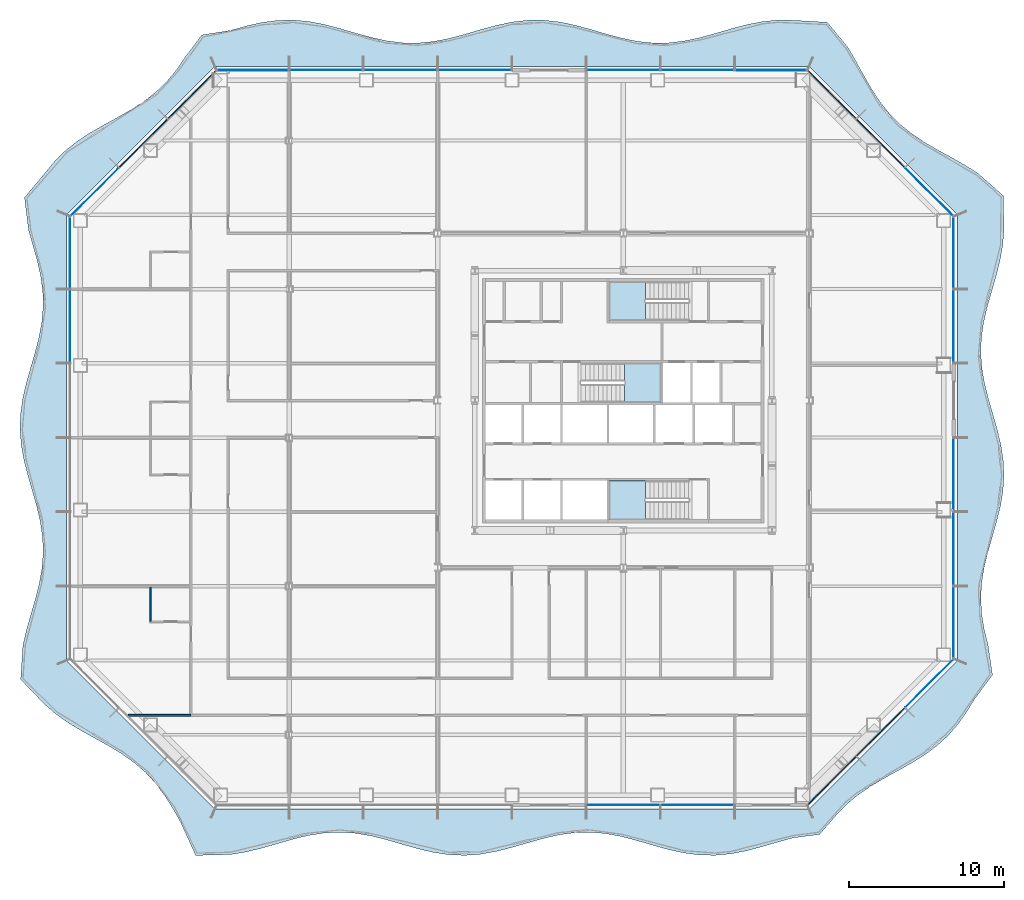
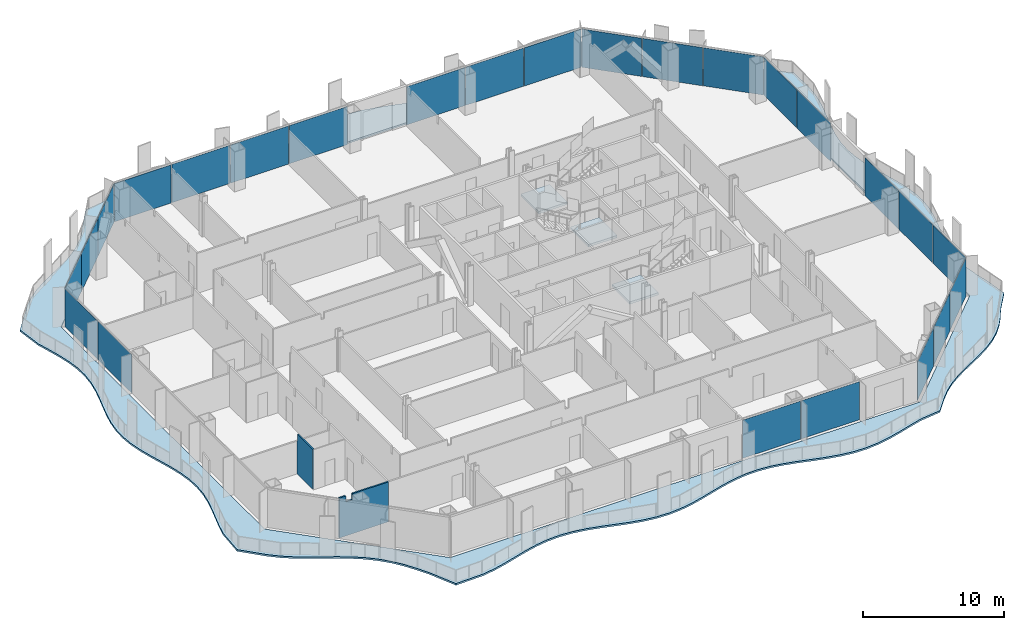
# One storey, part 5 of 17: 25 plates, 4 slabs, 2 walls, 10 elements without a shape of their own.
"""IFC4 building model written with IfcOpenShell, lengths in metres."""

from ifc_helpers import new_model, si_unit, direction, frame, origin, origin_2d, place, context, subcontext, project, spatial, polyline, rectangle, outline, extrude, material, layer, layer_set, type_object, element, aggregate, save


model = new_model("IFC4")

# Units and contexts
model_context = context("Model", 3, precision=1e-05, world=origin(), true_north=direction((0.0, 1.0)))
body_context = subcontext(model_context, "Body", "Model", "MODEL_VIEW")
ifc_project = project(units=[si_unit("LENGTHUNIT", "METRE"), si_unit("AREAUNIT", "SQUARE_METRE"), si_unit("VOLUMEUNIT", "CUBIC_METRE"), si_unit("PLANEANGLEUNIT", "RADIAN"), si_unit("MASSUNIT", "GRAM", prefix="KILO")], contexts=[model_context])

# Site, building, storey
site_placement = place(None, origin())
site = spatial("IfcSite", under=ifc_project, at=site_placement, CompositionType="ELEMENT")
building_placement = place(site_placement, origin())
building = spatial("IfcBuilding", under=site, at=building_placement, Name="Cairn Pilgrim Tower", CompositionType="ELEMENT")
storey_placement = place(building_placement, frame((0.0, 0.0, 79.800048828125)))
storey = spatial("IfcBuildingStorey", under=building, at=storey_placement, Name="L18", CompositionType="ELEMENT", Elevation=79.800048828125)

# Slab
ifc_material_1 = material(Name="Concrete C35/45", Category="concrete")
ifc_layer_1 = layer(ifc_material_1, 0.14990234375)
ifc_layer_set_1 = layer_set([ifc_layer_1], Name="BALCONY SLAB 150 CONCRETE C35/45")
slab_type_1 = type_object("IfcSlabType", Name="BALCONY SLAB 150 CONCRETE C35/45", PredefinedType="FLOOR", material=ifc_layer_set_1)
slab_1_placement = place(storey_placement, frame((0.0, 0.0, -0.150146484375)))
element("IfcSlab", 1, at=slab_1_placement, inside=storey, type_object=slab_type_1, Name="Balcony slab BS-1", PredefinedType="FLOOR", context=body_context, shape_type="SweptSolid", body=[
    extrude(outline(polyline([(-21.421875, -24.850341796875), (-20.442626953125, -27.0), (-18.189453125, -26.941650390625), (-17.178955078125, -26.77587890625), (-16.16845703125, -26.5283203125), (-15.157958984375, -26.237548828125), (-14.1474609375, -25.94873046875), (-13.136962890625, -25.706787109375), (-12.126220703125, -25.549072265625), (-11.11572265625, -25.50048828125), (-10.105224609375, -25.568359375), (-9.0947265625, -25.741943359375), (-8.084228515625, -25.994873046875), (-7.07373046875, -26.287109375), (-6.063232421875, -26.57373046875), (-5.052734375, -26.81005859375), (-4.0419921875, -26.95947265625), (-3.031494140625, -26.998291015625), (-2.02099609375, -26.921142578125), (-1.010498046875, -26.739501953125), (0.0, -26.481689453125), (1.010498046875, -26.18798828125), (2.02099609375, -25.904052734375), (3.031494140625, -25.673583984375), (4.0419921875, -25.532958984375), (5.052734375, -25.503662109375), (6.063232421875, -25.59033203125), (7.07373046875, -25.779541015625), (8.084228515625, -26.0419921875), (9.0947265625, -26.336669921875), (10.105224609375, -26.617919921875), (11.11572265625, -26.841796875), (12.126220703125, -26.973876953125), (13.136962890625, -26.993408203125), (14.1474609375, -26.8974609375), (15.157958984375, -26.700927734375), (16.16845703125, -26.43408203125), (17.178955078125, -26.138916015625), (18.189453125, -25.86083984375), (19.880615234375, -25.643310546875), (20.962646484375, -24.39111328125), (21.63671875, -23.69384765625), (22.386474609375, -23.072021484375), (23.2021484375, -22.516357421875), (24.0654296875, -22.00830078125), (24.95068359375, -21.522216796875), (25.82958984375, -21.029541015625), (26.67431640625, -20.502685546875), (27.4619140625, -19.919189453125), (28.177978515625, -19.263671875), (28.818359375, -18.532470703125), (29.38916015625, -17.73193359375), (29.906982421875, -16.87841796875), (31.056884765625, -15.3349609375), (30.771240234375, -13.406982421875), (30.527587890625, -12.413818359375), (30.362060546875, -11.420654296875), (30.300048828125, -10.427490234375), (30.350830078125, -9.4345703125), (30.50634765625, -8.44140625), (30.74365234375, -7.4482421875), (31.02685546875, -6.455078125), (31.3134765625, -5.462158203125), (31.560791015625, -4.468994140625), (31.731201171875, -3.475830078125), (31.79931640625, -2.482666015625), (31.7548828125, -1.48974609375), (31.604736328125, -0.49658203125), (31.37109375, 0.49658203125), (31.08935546875, 1.48974609375), (30.8017578125, 2.482666015625), (30.55126953125, 3.475830078125), (30.375732421875, 4.468994140625), (30.301513671875, 5.462158203125), (30.339599609375, 6.455078125), (30.484375, 7.4482421875), (30.714111328125, 8.44140625), (30.994384765625, 9.4345703125), (31.282958984375, 10.427490234375), (31.536376953125, 11.420654296875), (31.717041015625, 12.413818359375), (31.79736328125, 13.406982421875), (31.765380859375, 15.62841796875), (30.11572265625, 17.087158203125), (29.27587890625, 17.61865234375), (28.399169921875, 18.113525390625), (27.51318359375, 18.598876953125), (26.646484375, 19.103515625), (25.8251953125, 19.653564453125), (25.068359375, 20.268310546875), (24.386474609375, 20.9580078125), (23.779052734375, 21.721923828125), (23.234619140625, 22.549072265625), (22.733154296875, 23.4189453125), (22.248046875, 24.30517578125), (21.750732421875, 25.179443359375), (20.3798828125, 26.848388671875), (18.189453125, 26.976806640625), (17.178955078125, 26.991943359375), (16.16845703125, 26.891845703125), (15.157958984375, 26.692138671875), (14.1474609375, 26.423583984375), (13.136962890625, 26.1279296875), (12.126220703125, 25.8515625), (11.11572265625, 25.636962890625), (10.105224609375, 25.517578125), (9.0947265625, 25.51220703125), (8.084228515625, 25.621337890625), (7.07373046875, 25.828125), (6.063232421875, 26.100830078125), (5.052734375, 26.396484375), (4.0419921875, 26.66943359375), (3.031494140625, 26.876953125), (2.02099609375, 26.9873046875), (1.010498046875, 26.983154296875), (0.0, 26.86474609375), (-1.010498046875, 26.651123046875), (-2.02099609375, 26.375), (-3.031494140625, 26.079345703125), (-4.0419921875, 25.810302734375), (-5.052734375, 25.609619140625), (-6.063232421875, 25.508544921875), (-7.07373046875, 25.522705078125), (-8.084228515625, 25.649658203125), (-9.0947265625, 25.8701171875), (-10.105224609375, 26.149658203125), (-11.11572265625, 26.444580078125), (-12.126220703125, 26.70947265625), (-13.136962890625, 26.90283203125), (-14.1474609375, 26.994873046875), (-15.157958984375, 26.970947265625), (-16.16845703125, 26.8349609375), (-17.178955078125, 26.608154296875), (-18.189453125, 26.32568359375), (-20.04150390625, 26.031494140625), (-21.144775390625, 24.5732421875), (-21.700439453125, 23.757568359375), (-22.322509765625, 23.008056640625), (-23.019775390625, 22.333984375), (-23.790771484375, 21.733642578125), (-24.623046875, 21.194580078125), (-25.495849609375, 20.696044921875), (-26.38232421875, 20.2109375), (-27.253662109375, 19.7109375), (-28.083251953125, 19.1689453125), (-28.8505859375, 18.564697265625), (-29.543701171875, 17.886474609375), (-30.161865234375, 17.13330078125), (-31.507568359375, 15.521484375), (-31.247314453125, 13.406982421875), (-30.957275390625, 12.413818359375), (-30.681396484375, 11.420654296875), (-30.460693359375, 10.427490234375), (-30.32861328125, 9.4345703125), (-30.3046875, 8.44140625), (-30.392822265625, 7.4482421875), (-30.579833984375, 6.455078125), (-30.837158203125, 5.462158203125), (-31.12646484375, 4.468994140625), (-31.404541015625, 3.475830078125), (-31.629150390625, 2.482666015625), (-31.766845703125, 1.48974609375), (-31.796875, 0.49658203125), (-31.71484375, -0.49658203125), (-31.53271484375, -1.48974609375), (-31.2783203125, -2.482666015625), (-30.98974609375, -3.475830078125), (-30.7099609375, -4.468994140625), (-30.4814453125, -5.462158203125), (-30.338134765625, -6.455078125), (-30.3017578125, -7.4482421875), (-30.3779296875, -8.44140625), (-30.554931640625, -9.4345703125), (-30.80615234375, -10.427490234375), (-31.09423828125, -11.420654296875), (-31.37548828125, -12.413818359375), (-31.60791015625, -13.406982421875), (-31.756591796875, -15.624755859375), (-30.235107421875, -17.20654296875), (-29.50390625, -17.8466796875), (-28.703125, -18.41748046875), (-27.849365234375, -18.935302734375), (-26.967041015625, -19.424072265625), (-26.083740234375, -19.912353515625), (-25.228271484375, -20.42822265625), (-24.4248046875, -20.99609375), (-23.690185546875, -21.6328125), (-23.03125, -22.345458984375), (-22.4443359375, -23.130126953125), (-21.91552734375, -23.97265625), (-21.421875, -24.850341796875)]), holes=[polyline([(19.199951171875, -24.0), (-19.199951171875, -24.0), (-28.800048828125, -14.39990234375), (-28.800048828125, 14.39990234375), (-19.199951171875, 24.0), (19.199951171875, 24.0), (28.800048828125, 14.39990234375), (28.800048828125, -14.39990234375), (19.199951171875, -24.0)])]), origin(), (0.0, 0.0, 1.0), 0.150146484375),
])

# Curtain wall, plate
ifc_material_2 = material(Name="Aluminium alloy 6063-T6 bronze anodised with Bronze tinted laminated low-E glass 8+16+8.8", Category="aluminium")
curtain_wall_type_1 = type_object("IfcCurtainWallType", Name="CHAMFER CORNER CURTAIN WALL", PredefinedType="NOTDEFINED", material=ifc_material_2)
curtain_wall_1_placement = place(storey_placement, origin())
curtain_wall_1 = element("IfcCurtainWall", 2, at=curtain_wall_1_placement, inside=storey, type_object=curtain_wall_type_1, Name="Chamfer Corner Curtain Wall SE", PredefinedType="NOTDEFINED")
ifc_material_3 = material(Name="Bronze anodised aluminium spandrel panel with mineral wool insulation", Category="aluminium")
ifc_layer_2 = layer(ifc_material_3, 0.06005859375)
ifc_layer_set_2 = layer_set([ifc_layer_2], Name="SPANDREL PANEL 4386x3300")
plate_type_1 = type_object("IfcPlateType", Name="SPANDREL PANEL 4386x3300", PredefinedType="CURTAIN_PANEL", material=ifc_layer_set_2)
plate_1_placement = place(storey_placement, frame((20.675537109375, -22.1708984375, 0.0), z_axis=(0.0, 0.0, 1.0), x_axis=(0.707106781187, 0.707106781187, 0.0)))
plate_1 = element("IfcPlate", 3, at=plate_1_placement, type_object=plate_type_1, Name="Spandrel Panel SE1-1", PredefinedType="CURTAIN_PANEL", context=body_context, shape_type="SweptSolid", body=[
    extrude(rectangle(XDim=4.386474609375, YDim=0.06005859375, at=origin_2d()), origin(), (0.0, 0.0, 1.0), 3.300048828125),
])

curtain_wall_2_placement = place(storey_placement, origin())
curtain_wall_2 = element("IfcCurtainWall", 4, at=curtain_wall_2_placement, inside=storey, type_object=curtain_wall_type_1, Name="Chamfer Corner Curtain Wall NE", PredefinedType="NOTDEFINED")
plate_2_placement = place(storey_placement, frame((20.675537109375, 22.1708984375, 0.0), z_axis=(0.0, 0.0, 1.0), x_axis=(-0.707106781187, 0.707106781187, 0.0)))
plate_2 = element("IfcPlate", 5, at=plate_2_placement, type_object=plate_type_1, Name="Spandrel Panel NE3-1", PredefinedType="CURTAIN_PANEL", context=body_context, shape_type="SweptSolid", body=[
    extrude(rectangle(XDim=4.386474609375, YDim=0.06005859375, at=origin_2d()), origin(), (0.0, 0.0, 1.0), 3.300048828125),
])

curtain_wall_3_placement = place(storey_placement, origin())
curtain_wall_3 = element("IfcCurtainWall", 6, at=curtain_wall_3_placement, inside=storey, type_object=curtain_wall_type_1, Name="Chamfer Corner Curtain Wall NW", PredefinedType="NOTDEFINED")
plate_3_placement = place(storey_placement, frame((-20.675537109375, 22.1708984375, 0.0), z_axis=(0.0, 0.0, 1.0), x_axis=(-0.707106781187, -0.707106781187, 0.0)))
plate_3 = element("IfcPlate", 7, at=plate_3_placement, type_object=plate_type_1, Name="Spandrel Panel NW1-1", PredefinedType="CURTAIN_PANEL", context=body_context, shape_type="SweptSolid", body=[
    extrude(rectangle(XDim=4.386474609375, YDim=0.06005859375, at=origin_2d()), origin(), (0.0, 0.0, 1.0), 3.300048828125),
])

# Plate
ifc_layer_3 = layer(ifc_material_3, 0.06005859375)
ifc_layer_set_3 = layer_set([ifc_layer_3], Name="SPANDREL PANEL 4396x3300")
plate_type_2 = type_object("IfcPlateType", Name="SPANDREL PANEL 4396x3300", PredefinedType="CURTAIN_PANEL", material=ifc_layer_set_3)
plate_4_placement = place(storey_placement, frame((23.8232421875, -19.023193359375, 0.0), z_axis=(0.0, 0.0, 1.0), x_axis=(0.707106781187, 0.707106781187, 0.0)))
plate_4 = element("IfcPlate", 8, at=plate_4_placement, type_object=plate_type_2, Name="Spandrel Panel SE2-1", PredefinedType="CURTAIN_PANEL", context=body_context, shape_type="SweptSolid", body=[
    extrude(rectangle(XDim=4.396484375, YDim=0.06005859375, at=origin_2d()), origin(), (0.0, 0.0, 1.0), 3.300048828125),
])

plate_5_placement = place(storey_placement, frame((23.8232421875, 19.023193359375, 0.0), z_axis=(0.0, 0.0, 1.0), x_axis=(-0.707106781187, 0.707106781187, 0.0)))
plate_5 = element("IfcPlate", 9, at=plate_5_placement, type_object=plate_type_2, Name="Spandrel Panel NE2-1", PredefinedType="CURTAIN_PANEL", context=body_context, shape_type="SweptSolid", body=[
    extrude(rectangle(XDim=4.396484375, YDim=0.06005859375, at=origin_2d()), origin(), (0.0, 0.0, 1.0), 3.300048828125),
])

plate_6_placement = place(storey_placement, frame((-23.8232421875, 19.023193359375, 0.0), z_axis=(0.0, 0.0, 1.0), x_axis=(-0.707106781187, -0.707106781187, 0.0)))
plate_6 = element("IfcPlate", 10, at=plate_6_placement, type_object=plate_type_2, Name="Spandrel Panel NW2-1", PredefinedType="CURTAIN_PANEL", context=body_context, shape_type="SweptSolid", body=[
    extrude(rectangle(XDim=4.396484375, YDim=0.06005859375, at=origin_2d()), origin(), (0.0, 0.0, 1.0), 3.300048828125),
])

# Curtain wall, plates
curtain_wall_type_2 = type_object("IfcCurtainWallType", Name="TOWER STICK CURTAIN WALL NS", PredefinedType="NOTDEFINED", material=ifc_material_2)
curtain_wall_4_placement = place(storey_placement, origin())
curtain_wall_4 = element("IfcCurtainWall", 11, at=curtain_wall_4_placement, inside=storey, type_object=curtain_wall_type_2, Name="Tower Stick Curtain Wall Ns N", PredefinedType="NOTDEFINED")
ifc_layer_4 = layer(ifc_material_3, 0.06005859375)
ifc_layer_set_4 = layer_set([ifc_layer_4], Name="SPANDREL PANEL 4626x3300")
plate_type_3 = type_object("IfcPlateType", Name="SPANDREL PANEL 4626x3300", PredefinedType="CURTAIN_PANEL", material=ifc_layer_set_4)
plate_7_placement = place(storey_placement, frame((16.7431640625, 23.75, 0.0), z_axis=(0.0, 0.0, 1.0), x_axis=(-1.0, 0.0, 0.0)))
plate_7 = element("IfcPlate", 12, at=plate_7_placement, type_object=plate_type_3, Name="Spandrel Panel N1-1", PredefinedType="CURTAIN_PANEL", context=body_context, shape_type="SweptSolid", body=[
    extrude(rectangle(XDim=4.62646484375, YDim=0.06005859375, at=origin_2d()), origin(), (0.0, 0.0, 1.0), 3.300048828125),
])
plate_8_placement = place(storey_placement, frame((-16.7431640625, 23.75, 0.0), z_axis=(0.0, 0.0, 1.0), x_axis=(-1.0, 0.0, 0.0)))
plate_8 = element("IfcPlate", 13, at=plate_8_placement, type_object=plate_type_3, Name="Spandrel Panel N8-1", PredefinedType="CURTAIN_PANEL", context=body_context, shape_type="SweptSolid", body=[
    extrude(rectangle(XDim=4.62646484375, YDim=0.06005859375, at=origin_2d()), origin(), (0.0, 0.0, 1.0), 3.300048828125),
])

# Stair, slab
ifc_material_4 = material(Name="Concrete C32/40", Category="concrete")
stair_type = type_object("IfcStairType", Name="EXIT STAIR 1200", PredefinedType="HALF_TURN_STAIR", material=ifc_material_4)
stair_1_placement = place(storey_placement, origin())
stair_1 = element("IfcStair", 14, at=stair_1_placement, inside=storey, type_object=stair_type, Name="L18 Exit Stair A", PredefinedType="HALF_TURN_STAIR")
ifc_layer_5 = layer(ifc_material_4, 0.199951171875)
ifc_layer_set_5 = layer_set([ifc_layer_5], Name="STAIR LANDING 200")
slab_type_2 = type_object("IfcSlabType", Name="STAIR LANDING 200", PredefinedType="LANDING", material=ifc_layer_set_5)
slab_2_placement = place(storey_placement, frame((0.0, 0.0, 1.599853515625)))
slab_2 = element("IfcSlab", 15, at=slab_2_placement, type_object=slab_type_2, Name="ST-A landing 1", PredefinedType="LANDING", context=body_context, shape_type="SweptSolid", body=[
    extrude(outline(polyline([(8.625, -2.77490234375), (6.27490234375, -2.77490234375), (6.27490234375, -5.300048828125), (8.625, -5.300048828125), (8.625, -2.77490234375)])), origin(), (0.0, 0.0, 1.0), 0.2001953125),
])
aggregate(stair_1, [slab_2])

stair_2_placement = place(storey_placement, origin())
stair_2 = element("IfcStair", 16, at=stair_2_placement, inside=storey, type_object=stair_type, Name="L18 Exit Stair B", PredefinedType="HALF_TURN_STAIR")
slab_3_placement = place(storey_placement, frame((0.0, 0.0, 1.599853515625)))
slab_3 = element("IfcSlab", 17, at=slab_3_placement, type_object=slab_type_2, Name="ST-B landing 1", PredefinedType="LANDING", context=body_context, shape_type="SweptSolid", body=[
    extrude(outline(polyline([(7.27490234375, 2.27490234375), (9.625, 2.27490234375), (9.625, 4.824951171875), (7.27490234375, 4.824951171875), (7.27490234375, 2.27490234375)])), origin(), (0.0, 0.0, 1.0), 0.2001953125),
])
aggregate(stair_2, [slab_3])

stair_3_placement = place(storey_placement, origin())
stair_3 = element("IfcStair", 18, at=stair_3_placement, inside=storey, type_object=stair_type, Name="L18 Exit Stair C", PredefinedType="HALF_TURN_STAIR")
slab_4_placement = place(storey_placement, frame((0.0, 0.0, 1.599853515625)))
slab_4 = element("IfcSlab", 19, at=slab_4_placement, type_object=slab_type_2, Name="ST-C landing 1", PredefinedType="LANDING", context=body_context, shape_type="SweptSolid", body=[
    extrude(outline(polyline([(8.625, 10.10009765625), (6.27490234375, 10.10009765625), (6.27490234375, 7.574951171875), (8.625, 7.574951171875), (8.625, 10.10009765625)])), origin(), (0.0, 0.0, 1.0), 0.2001953125),
])
aggregate(stair_3, [slab_4])

# Plate
ifc_material_5 = material(Name="Bronze tinted laminated low-E glass 8+16+8.8", Category="glass")
ifc_layer_6 = layer(ifc_material_5, 0.033935546875)
ifc_layer_set_6 = layer_set([ifc_layer_6], Name="VISION GLAZING 4386x3300")
plate_type_4 = type_object("IfcPlateType", Name="VISION GLAZING 4386x3300", PredefinedType="CURTAIN_PANEL", material=ifc_layer_set_6)
plate_9_placement = place(storey_placement, frame((26.970947265625, -15.87548828125, 0.0), z_axis=(0.0, 0.0, 1.0), x_axis=(0.707106781187, 0.707106781187, 0.0)))
plate_9 = element("IfcPlate", 20, at=plate_9_placement, type_object=plate_type_4, Name="Vision Glazing SE3-1", PredefinedType="CURTAIN_PANEL", context=body_context, shape_type="SweptSolid", body=[
    extrude(rectangle(XDim=4.386474609375, YDim=0.033935546875, at=origin_2d()), origin(), (0.0, 0.0, 1.0), 3.300048828125),
])

aggregate(curtain_wall_1, [plate_1, plate_4, plate_9])

plate_10_placement = place(storey_placement, frame((26.970947265625, 15.87548828125, 0.0), z_axis=(0.0, 0.0, 1.0), x_axis=(-0.707106781187, 0.707106781187, 0.0)))
plate_10 = element("IfcPlate", 21, at=plate_10_placement, type_object=plate_type_4, Name="Vision Glazing NE1-1", PredefinedType="CURTAIN_PANEL", context=body_context, shape_type="SweptSolid", body=[
    extrude(rectangle(XDim=4.386474609375, YDim=0.033935546875, at=origin_2d()), origin(), (0.0, 0.0, 1.0), 3.300048828125),
])

aggregate(curtain_wall_2, [plate_10, plate_5, plate_2])

plate_11_placement = place(storey_placement, frame((-26.970947265625, 15.87548828125, 0.0), z_axis=(0.0, 0.0, 1.0), x_axis=(-0.707106781187, -0.707106781187, 0.0)))
plate_11 = element("IfcPlate", 22, at=plate_11_placement, type_object=plate_type_4, Name="Vision Glazing NW3-1", PredefinedType="CURTAIN_PANEL", context=body_context, shape_type="SweptSolid", body=[
    extrude(rectangle(XDim=4.386474609375, YDim=0.033935546875, at=origin_2d()), origin(), (0.0, 0.0, 1.0), 3.300048828125),
])

aggregate(curtain_wall_3, [plate_3, plate_6, plate_11])

# Curtain wall, plates
curtain_wall_type_3 = type_object("IfcCurtainWallType", Name="TOWER STICK CURTAIN WALL EW", PredefinedType="NOTDEFINED", material=ifc_material_2)
curtain_wall_5_placement = place(storey_placement, origin())
curtain_wall_5 = element("IfcCurtainWall", 23, at=curtain_wall_5_placement, inside=storey, type_object=curtain_wall_type_3, Name="Tower Stick Curtain Wall Ew E", PredefinedType="NOTDEFINED")
ifc_layer_7 = layer(ifc_material_5, 0.033935546875)
ifc_layer_set_7 = layer_set([ifc_layer_7], Name="VISION GLAZING 4626x3300")
plate_type_5 = type_object("IfcPlateType", Name="VISION GLAZING 4626x3300", PredefinedType="CURTAIN_PANEL", material=ifc_layer_set_7)
plate_12_placement = place(storey_placement, frame((28.550048828125, -11.943115234375, 0.0), z_axis=(0.0, 0.0, 1.0), x_axis=(0.0, 1.0, 0.0)))
plate_12 = element("IfcPlate", 24, at=plate_12_placement, type_object=plate_type_5, Name="Vision Glazing E1-1", PredefinedType="CURTAIN_PANEL", context=body_context, shape_type="SweptSolid", body=[
    extrude(rectangle(XDim=4.62646484375, YDim=0.033935546875, at=origin_2d()), origin(), (0.0, 0.0, 1.0), 3.300048828125),
])
plate_13_placement = place(storey_placement, frame((28.550048828125, 11.943115234375, 0.0), z_axis=(0.0, 0.0, 1.0), x_axis=(0.0, 1.0, 0.0)))
plate_13 = element("IfcPlate", 25, at=plate_13_placement, type_object=plate_type_5, Name="Vision Glazing E6-1", PredefinedType="CURTAIN_PANEL", context=body_context, shape_type="SweptSolid", body=[
    extrude(rectangle(XDim=4.62646484375, YDim=0.033935546875, at=origin_2d()), origin(), (0.0, 0.0, 1.0), 3.300048828125),
])

# Curtain wall, plate
curtain_wall_6_placement = place(storey_placement, origin())
curtain_wall_6 = element("IfcCurtainWall", 26, at=curtain_wall_6_placement, inside=storey, type_object=curtain_wall_type_3, Name="Tower Stick Curtain Wall Ew W", PredefinedType="NOTDEFINED")
plate_14_placement = place(storey_placement, frame((-28.550048828125, 11.943115234375, 0.0), z_axis=(0.0, 0.0, 1.0), x_axis=(0.0, -1.0, 0.0)))
plate_14 = element("IfcPlate", 27, at=plate_14_placement, type_object=plate_type_5, Name="Vision Glazing W1-1", PredefinedType="CURTAIN_PANEL", context=body_context, shape_type="SweptSolid", body=[
    extrude(rectangle(XDim=4.62646484375, YDim=0.033935546875, at=origin_2d()), origin(), (0.0, 0.0, 1.0), 3.300048828125),
])

# Curtain wall, plates
curtain_wall_7_placement = place(storey_placement, origin())
curtain_wall_7 = element("IfcCurtainWall", 28, at=curtain_wall_7_placement, inside=storey, type_object=curtain_wall_type_2, Name="Tower Stick Curtain Wall Ns S", PredefinedType="NOTDEFINED")
ifc_layer_8 = layer(ifc_material_5, 0.033935546875)
ifc_layer_set_8 = layer_set([ifc_layer_8], Name="VISION GLAZING 4740x3300")
plate_type_6 = type_object("IfcPlateType", Name="VISION GLAZING 4740x3300", PredefinedType="CURTAIN_PANEL", material=ifc_layer_set_8)
plate_15_placement = place(storey_placement, frame((7.199951171875, -23.75, 0.0), z_axis=(0.0, 0.0, 1.0), x_axis=(1.0, 0.0, 0.0)))
plate_15 = element("IfcPlate", 29, at=plate_15_placement, type_object=plate_type_6, Name="Vision Glazing S6-1", PredefinedType="CURTAIN_PANEL", context=body_context, shape_type="SweptSolid", body=[
    extrude(rectangle(XDim=4.739990234375, YDim=0.033935546875, at=origin_2d()), origin(), (0.0, 0.0, 1.0), 3.300048828125),
])
plate_16_placement = place(storey_placement, frame((12.0, -23.75, 0.0), z_axis=(0.0, 0.0, 1.0), x_axis=(1.0, 0.0, 0.0)))
plate_16 = element("IfcPlate", 30, at=plate_16_placement, type_object=plate_type_6, Name="Vision Glazing S7-1", PredefinedType="CURTAIN_PANEL", context=body_context, shape_type="SweptSolid", body=[
    extrude(rectangle(XDim=4.739990234375, YDim=0.033935546875, at=origin_2d()), origin(), (0.0, 0.0, 1.0), 3.300048828125),
])
aggregate(curtain_wall_7, [plate_15, plate_16])

# Plate
plate_17_placement = place(storey_placement, frame((28.550048828125, -7.199951171875, 0.0), z_axis=(0.0, 0.0, 1.0), x_axis=(0.0, 1.0, 0.0)))
plate_17 = element("IfcPlate", 31, at=plate_17_placement, type_object=plate_type_6, Name="Vision Glazing E2-1", PredefinedType="CURTAIN_PANEL", context=body_context, shape_type="SweptSolid", body=[
    extrude(rectangle(XDim=4.739990234375, YDim=0.033935546875, at=origin_2d()), origin(), (0.0, 0.0, 1.0), 3.300048828125),
])

plate_18_placement = place(storey_placement, frame((28.550048828125, -2.39990234375, 0.0), z_axis=(0.0, 0.0, 1.0), x_axis=(0.0, 1.0, 0.0)))
plate_18 = element("IfcPlate", 32, at=plate_18_placement, type_object=plate_type_6, Name="Vision Glazing E3-1", PredefinedType="CURTAIN_PANEL", context=body_context, shape_type="SweptSolid", body=[
    extrude(rectangle(XDim=4.739990234375, YDim=0.033935546875, at=origin_2d()), origin(), (0.0, 0.0, 1.0), 3.300048828125),
])

plate_19_placement = place(storey_placement, frame((28.550048828125, 7.199951171875, 0.0), z_axis=(0.0, 0.0, 1.0), x_axis=(0.0, 1.0, 0.0)))
plate_19 = element("IfcPlate", 33, at=plate_19_placement, type_object=plate_type_6, Name="Vision Glazing E5-1", PredefinedType="CURTAIN_PANEL", context=body_context, shape_type="SweptSolid", body=[
    extrude(rectangle(XDim=4.739990234375, YDim=0.033935546875, at=origin_2d()), origin(), (0.0, 0.0, 1.0), 3.300048828125),
])

aggregate(curtain_wall_5, [plate_12, plate_17, plate_18, plate_19, plate_13])

plate_20_placement = place(storey_placement, frame((12.0, 23.75, 0.0), z_axis=(0.0, 0.0, 1.0), x_axis=(-1.0, 0.0, 0.0)))
plate_20 = element("IfcPlate", 34, at=plate_20_placement, type_object=plate_type_6, Name="Vision Glazing N2-1", PredefinedType="CURTAIN_PANEL", context=body_context, shape_type="SweptSolid", body=[
    extrude(rectangle(XDim=4.739990234375, YDim=0.033935546875, at=origin_2d()), origin(), (0.0, 0.0, 1.0), 3.300048828125),
])

plate_21_placement = place(storey_placement, frame((7.199951171875, 23.75, 0.0), z_axis=(0.0, 0.0, 1.0), x_axis=(-1.0, 0.0, 0.0)))
plate_21 = element("IfcPlate", 35, at=plate_21_placement, type_object=plate_type_6, Name="Vision Glazing N3-1", PredefinedType="CURTAIN_PANEL", context=body_context, shape_type="SweptSolid", body=[
    extrude(rectangle(XDim=4.739990234375, YDim=0.033935546875, at=origin_2d()), origin(), (0.0, 0.0, 1.0), 3.300048828125),
])

plate_22_placement = place(storey_placement, frame((-2.39990234375, 23.75, 0.0), z_axis=(0.0, 0.0, 1.0), x_axis=(-1.0, 0.0, 0.0)))
plate_22 = element("IfcPlate", 36, at=plate_22_placement, type_object=plate_type_6, Name="Vision Glazing N5-1", PredefinedType="CURTAIN_PANEL", context=body_context, shape_type="SweptSolid", body=[
    extrude(rectangle(XDim=4.739990234375, YDim=0.033935546875, at=origin_2d()), origin(), (0.0, 0.0, 1.0), 3.300048828125),
])

plate_23_placement = place(storey_placement, frame((-7.199951171875, 23.75, 0.0), z_axis=(0.0, 0.0, 1.0), x_axis=(-1.0, 0.0, 0.0)))
plate_23 = element("IfcPlate", 37, at=plate_23_placement, type_object=plate_type_6, Name="Vision Glazing N6-1", PredefinedType="CURTAIN_PANEL", context=body_context, shape_type="SweptSolid", body=[
    extrude(rectangle(XDim=4.739990234375, YDim=0.033935546875, at=origin_2d()), origin(), (0.0, 0.0, 1.0), 3.300048828125),
])

plate_24_placement = place(storey_placement, frame((-12.0, 23.75, 0.0), z_axis=(0.0, 0.0, 1.0), x_axis=(-1.0, 0.0, 0.0)))
plate_24 = element("IfcPlate", 38, at=plate_24_placement, type_object=plate_type_6, Name="Vision Glazing N7-1", PredefinedType="CURTAIN_PANEL", context=body_context, shape_type="SweptSolid", body=[
    extrude(rectangle(XDim=4.739990234375, YDim=0.033935546875, at=origin_2d()), origin(), (0.0, 0.0, 1.0), 3.300048828125),
])

aggregate(curtain_wall_4, [plate_7, plate_20, plate_21, plate_22, plate_23, plate_24, plate_8])

plate_25_placement = place(storey_placement, frame((-28.550048828125, 7.199951171875, 0.0), z_axis=(0.0, 0.0, 1.0), x_axis=(0.0, -1.0, 0.0)))
plate_25 = element("IfcPlate", 39, at=plate_25_placement, type_object=plate_type_6, Name="Vision Glazing W2-1", PredefinedType="CURTAIN_PANEL", context=body_context, shape_type="SweptSolid", body=[
    extrude(rectangle(XDim=4.739990234375, YDim=0.033935546875, at=origin_2d()), origin(), (0.0, 0.0, 1.0), 3.300048828125),
])

aggregate(curtain_wall_6, [plate_14, plate_25])

# Walls
ifc_material_6 = material(Name="Gypsum partition")
ifc_layer_9 = layer(ifc_material_6, 0.10009765625)
ifc_layer_set_9 = layer_set([ifc_layer_9], Name="PARTITION 100 DRYWALL")
wall_type_1 = type_object("IfcWallType", Name="PARTITION 100 DRYWALL", PredefinedType="PARTITIONING", material=ifc_layer_set_9)
wall_1_placement = place(storey_placement, frame((-23.35009765625, -11.85009765625, 0.0), z_axis=(0.0, 0.0, 1.0), x_axis=(0.0, 1.0, 0.0)))
element("IfcWall", 40, at=wall_1_placement, inside=storey, type_object=wall_type_1, Name="PARTITION W023", PredefinedType="PARTITIONING", context=body_context, shape_type="SweptSolid", body=[
    extrude(outline(polyline([(0.0, 0.0), (2.1875, 0.0), (2.1875, 2.829833984375), (2.139892578125, 2.829833984375), (2.137939453125, 3.449951171875), (0.0, 3.449951171875), (0.0, 0.0)])), frame((0.0, 0.050048828125, 0.0), z_axis=(0.0, -1.0, 0.0), x_axis=(1.0, 0.0, 0.0)), (0.0, 0.0, 1.0), 0.10009765625),
])
ifc_layer_10 = layer(ifc_material_6, 0.125)
ifc_layer_set_10 = layer_set([ifc_layer_10], Name="PARTITION 125 DRYWALL EI 60")
wall_type_2 = type_object("IfcWallType", Name="PARTITION 125 DRYWALL EI 60", PredefinedType="PARTITIONING", material=ifc_layer_set_10)
wall_2_placement = place(storey_placement, frame((-24.78857421875, -17.949951171875, 0.0), z_axis=(0.0, 0.0, 1.0), x_axis=(1.0, 0.0, 0.0)))
element("IfcWall", 41, at=wall_2_placement, inside=storey, type_object=wall_type_2, Name="PARTITION W007", PredefinedType="PARTITIONING", context=body_context, shape_type="SweptSolid", body=[
    extrude(outline(polyline([(0.0, 0.0), (4.03857421875, 0.0), (4.03857421875, 3.449951171875), (1.0859375, 3.449951171875), (1.083984375, 2.929931640625), (0.536865234375, 2.929931640625), (0.534912109375, 3.449951171875), (0.0, 3.449951171875), (0.0, 0.0)])), frame((0.0, 0.0625, 0.0), z_axis=(0.0, -1.0, 0.0), x_axis=(1.0, 0.0, 0.0)), (0.0, 0.0, 1.0), 0.125),
])

save(model, "model.ifc")
